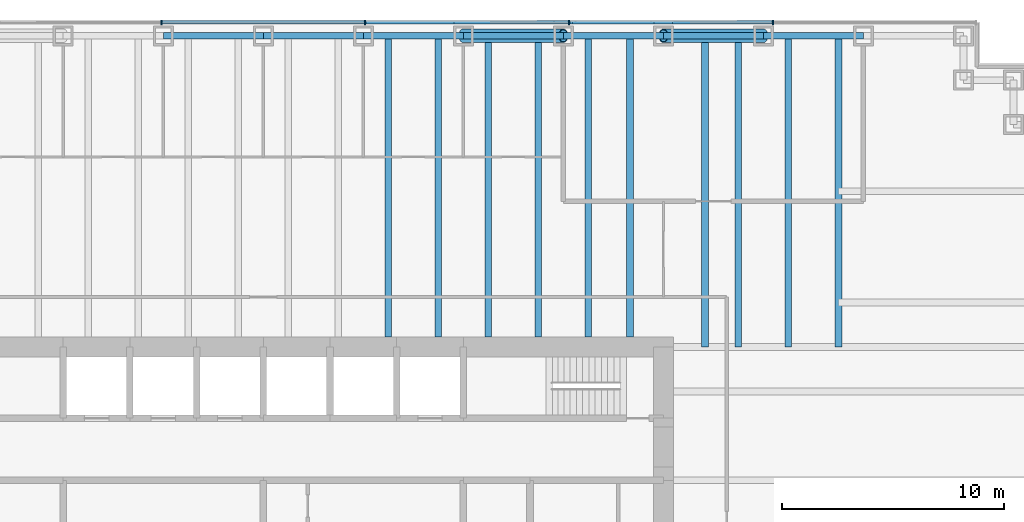
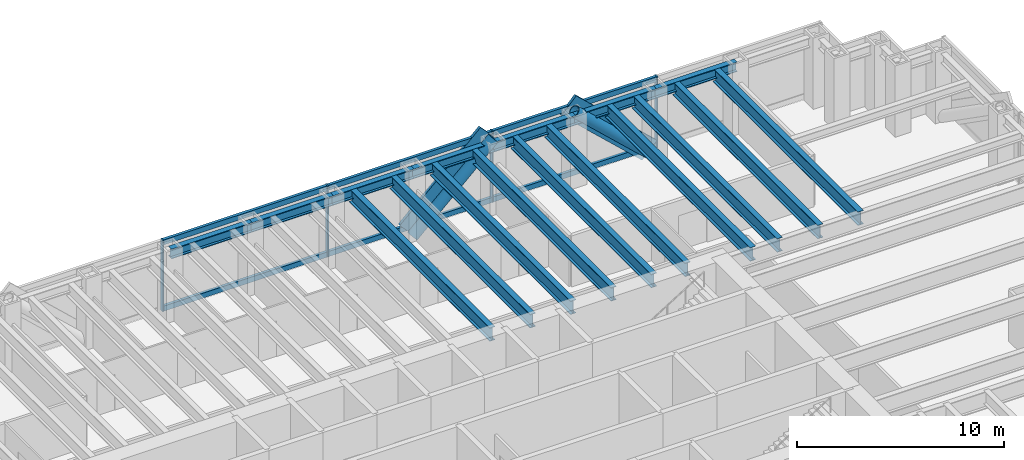
# One storey, part 7 of 15: 17 beams, 14 members, 1 element without a shape of its own.
"""IFC4 building model written with IfcOpenShell, lengths in metres."""

from ifc_helpers import new_model, si_unit, direction, frame, origin, origin_2d, place, context, subcontext, project, spatial, rectangle, hollow_circle, i_section, extrude, material, material_profile, profile_set, type_object, element, aggregate, save


model = new_model("IFC4")

# Units and contexts
model_context = context("Model", 3, precision=1e-05, world=origin(), true_north=direction((0.0, 1.0)))
body_context = subcontext(model_context, "Body", "Model", "MODEL_VIEW")
ifc_project = project(units=[si_unit("LENGTHUNIT", "METRE"), si_unit("AREAUNIT", "SQUARE_METRE"), si_unit("VOLUMEUNIT", "CUBIC_METRE"), si_unit("PLANEANGLEUNIT", "RADIAN"), si_unit("MASSUNIT", "GRAM", prefix="KILO")], contexts=[model_context])

# Site, building, storey
site_placement = place(None, origin())
site = spatial("IfcSite", under=ifc_project, at=site_placement, CompositionType="ELEMENT")
building_placement = place(site_placement, origin())
building = spatial("IfcBuilding", under=site, at=building_placement, Name="Rheinbord Bourse Tower", CompositionType="ELEMENT")
storey_placement = place(building_placement, frame((0.0, 0.0, 104.699951171875)))
storey = spatial("IfcBuildingStorey", under=building, at=storey_placement, Name="L22", CompositionType="ELEMENT", Elevation=104.699951171875)

# Curtain wall, members
ifc_material_1 = material(Name="Dark glass and black aluminium", Category="aluminium")
curtain_wall_type = type_object("IfcCurtainWallType", Name="CW2 DARK GLASS CURTAIN WALL", PredefinedType="USERDEFINED", material=ifc_material_1)
curtain_wall_placement = place(storey_placement, origin())
curtain_wall = element("IfcCurtainWall", 1, at=curtain_wall_placement, inside=storey, type_object=curtain_wall_type, Name="Curtain wall CW2 N L22", ObjectType="UNITISED CURTAIN WALL", PredefinedType="USERDEFINED")
ifc_material_2 = material(Name="Black anodised aluminium", Category="aluminium")
ifc_material_profile_1 = material_profile(ifc_material_2, rectangle(XDim=0.159912109375, YDim=1.2099609375, at=origin_2d()), Name="CW2 DIAGONAL MULLION 1210x160")
ifc_profile_set_1 = profile_set([ifc_material_profile_1], Name="Black anodised aluminium")
member_type_1 = type_object("IfcMemberType", Name="CW2 BLACK DIAGONAL MULLION", PredefinedType="USERDEFINED", material=ifc_profile_set_1)
member_1_placement = place(storey_placement, frame((45.0, 46.60009765625, 0.0), z_axis=(0.73105922506, 0.0, 0.682314010889), x_axis=(0.0, 1.0, 0.0)))
member_1 = element("IfcMember", 2, at=member_1_placement, type_object=member_type_1, Name="CW2 diagonal mullion b", ObjectType="DIAGONAL MULLION", PredefinedType="USERDEFINED", context=body_context, shape_type="SweptSolid", body=[
    extrude(rectangle(XDim=0.159912109375, YDim=1.2099609375, at=origin_2d()), origin(), (0.0, 0.0, 1.0), 6.155517578125),
])
member_2_placement = place(storey_placement, frame((58.5, 46.60009765625, 0.0), z_axis=(-0.73105922506, 0.0, 0.682314010889), x_axis=(0.0, -1.0, 0.0)))
member_2 = element("IfcMember", 3, at=member_2_placement, type_object=member_type_1, Name="CW2 diagonal mullion d", ObjectType="DIAGONAL MULLION", PredefinedType="USERDEFINED", context=body_context, shape_type="SweptSolid", body=[
    extrude(rectangle(XDim=0.159912109375, YDim=1.2099609375, at=origin_2d()), origin(), (0.0, 0.0, 1.0), 6.155517578125),
])
ifc_material_3 = material(Name="Black anodised aluminium", Category="aluminium")
ifc_material_profile_2 = material_profile(ifc_material_3, rectangle(XDim=0.219970703125, YDim=0.070068359375, at=origin_2d()), Name="CW2 MULLION 70x220")
ifc_profile_set_2 = profile_set([ifc_material_profile_2], Name="Black anodised aluminium")
member_type_2 = type_object("IfcMemberType", Name="CW2 BLACK MULLION", PredefinedType="MULLION", material=ifc_profile_set_2)
member_3_placement = place(storey_placement, frame((58.928466796875, 46.60009765625, 0.0), z_axis=(0.0, 0.0, 1.0), x_axis=(0.0, -1.0, 0.0)))
member_3 = element("IfcMember", 4, at=member_3_placement, type_object=member_type_2, Name="CW2 mullion 2", PredefinedType="MULLION", context=body_context, shape_type="SweptSolid", body=[
    extrude(rectangle(XDim=0.219970703125, YDim=0.070068359375, at=origin_2d()), origin(), (0.0, 0.0, 1.0), 4.199951171875),
])
member_4_placement = place(storey_placement, frame((49.757080078125, 46.60009765625, 0.0), z_axis=(0.0, 0.0, 1.0), x_axis=(0.0, -1.0, 0.0)))
member_4 = element("IfcMember", 5, at=member_4_placement, type_object=member_type_2, Name="CW2 mullion 3", PredefinedType="MULLION", context=body_context, shape_type="SweptSolid", body=[
    extrude(rectangle(XDim=0.219970703125, YDim=0.070068359375, at=origin_2d()), origin(), (0.0, 0.0, 1.0), 4.199951171875),
])
member_5_placement = place(storey_placement, frame((40.585693359375, 46.60009765625, 0.0), z_axis=(0.0, 0.0, 1.0), x_axis=(0.0, -1.0, 0.0)))
member_5 = element("IfcMember", 6, at=member_5_placement, type_object=member_type_2, Name="CW2 mullion 4", PredefinedType="MULLION", context=body_context, shape_type="SweptSolid", body=[
    extrude(rectangle(XDim=0.219970703125, YDim=0.070068359375, at=origin_2d()), origin(), (0.0, 0.0, 1.0), 4.199951171875),
])
member_6_placement = place(storey_placement, frame((31.414306640625, 46.60009765625, 0.0), z_axis=(0.0, 0.0, 1.0), x_axis=(0.0, -1.0, 0.0)))
member_6 = element("IfcMember", 7, at=member_6_placement, type_object=member_type_2, Name="CW2 mullion 5", PredefinedType="MULLION", context=body_context, shape_type="SweptSolid", body=[
    extrude(rectangle(XDim=0.219970703125, YDim=0.070068359375, at=origin_2d()), origin(), (0.0, 0.0, 1.0), 4.199951171875),
])
ifc_material_4 = material(Name="Black anodised aluminium", Category="aluminium")
ifc_material_profile_3 = material_profile(ifc_material_4, rectangle(XDim=0.159912109375, YDim=0.300048828125, at=origin_2d()), Name="CW2 TRANSOM 300x160")
ifc_profile_set_3 = profile_set([ifc_material_profile_3], Name="Black anodised aluminium")
member_type_3 = type_object("IfcMemberType", Name="CW2 BLACK TRANSOM", PredefinedType="USERDEFINED", material=ifc_profile_set_3)
member_7_placement = place(storey_placement, frame((58.8935546875, 46.60009765625, 0.150146484375), z_axis=(-1.0, 0.0, 0.0), x_axis=(0.0, -1.0, 0.0)))
member_7 = element("IfcMember", 8, at=member_7_placement, type_object=member_type_3, Name="CW2 transom 2.1", ObjectType="TRANSOM", PredefinedType="USERDEFINED", context=body_context, shape_type="SweptSolid", body=[
    extrude(rectangle(XDim=0.159912109375, YDim=0.300048828125, at=origin_2d()), origin(), (0.0, 0.0, 1.0), 9.101318359375),
])
member_8_placement = place(storey_placement, frame((58.8935546875, 46.60009765625, 4.050048828125), z_axis=(-1.0, 0.0, 0.0), x_axis=(0.0, -1.0, 0.0)))
member_8 = element("IfcMember", 9, at=member_8_placement, type_object=member_type_3, Name="CW2 transom 2.2", ObjectType="TRANSOM", PredefinedType="USERDEFINED", context=body_context, shape_type="SweptSolid", body=[
    extrude(rectangle(XDim=0.159912109375, YDim=0.300048828125, at=origin_2d()), origin(), (0.0, 0.0, 1.0), 9.101318359375),
])
member_9_placement = place(storey_placement, frame((49.72216796875, 46.60009765625, 0.150146484375), z_axis=(-1.0, 0.0, 0.0), x_axis=(0.0, -1.0, 0.0)))
member_9 = element("IfcMember", 10, at=member_9_placement, type_object=member_type_3, Name="CW2 transom 3.1", ObjectType="TRANSOM", PredefinedType="USERDEFINED", context=body_context, shape_type="SweptSolid", body=[
    extrude(rectangle(XDim=0.159912109375, YDim=0.300048828125, at=origin_2d()), origin(), (0.0, 0.0, 1.0), 9.1015625),
])
member_10_placement = place(storey_placement, frame((49.72216796875, 46.60009765625, 4.050048828125), z_axis=(-1.0, 0.0, 0.0), x_axis=(0.0, -1.0, 0.0)))
member_10 = element("IfcMember", 11, at=member_10_placement, type_object=member_type_3, Name="CW2 transom 3.2", ObjectType="TRANSOM", PredefinedType="USERDEFINED", context=body_context, shape_type="SweptSolid", body=[
    extrude(rectangle(XDim=0.159912109375, YDim=0.300048828125, at=origin_2d()), origin(), (0.0, 0.0, 1.0), 9.1015625),
])
member_11_placement = place(storey_placement, frame((40.55078125, 46.60009765625, 0.150146484375), z_axis=(-1.0, 0.0, 0.0), x_axis=(0.0, -1.0, 0.0)))
member_11 = element("IfcMember", 12, at=member_11_placement, type_object=member_type_3, Name="CW2 transom 4.1", ObjectType="TRANSOM", PredefinedType="USERDEFINED", context=body_context, shape_type="SweptSolid", body=[
    extrude(rectangle(XDim=0.159912109375, YDim=0.300048828125, at=origin_2d()), origin(), (0.0, 0.0, 1.0), 9.1015625),
])
member_12_placement = place(storey_placement, frame((40.55078125, 46.60009765625, 4.050048828125), z_axis=(-1.0, 0.0, 0.0), x_axis=(0.0, -1.0, 0.0)))
member_12 = element("IfcMember", 13, at=member_12_placement, type_object=member_type_3, Name="CW2 transom 4.2", ObjectType="TRANSOM", PredefinedType="USERDEFINED", context=body_context, shape_type="SweptSolid", body=[
    extrude(rectangle(XDim=0.159912109375, YDim=0.300048828125, at=origin_2d()), origin(), (0.0, 0.0, 1.0), 9.1015625),
])
aggregate(curtain_wall, [member_3, member_4, member_5, member_6, member_7, member_8, member_9, member_10, member_11, member_12, member_1, member_2])

# Beams
ifc_material_5 = material(Name="Steel S460", Category="steel")
ifc_material_profile_4 = material_profile(ifc_material_5, i_section(OverallWidth=0.300048828125, OverallDepth=0.800048828125, WebThickness=0.017578125, FlangeThickness=0.032958984375, at=origin_2d()), Name="HEB 800")
ifc_profile_set_4 = profile_set([ifc_material_profile_4], Name="Steel S460")
beam_type_1 = type_object("IfcBeamType", Name="FLOOR BEAM HEB 800", PredefinedType="BEAM", material=ifc_profile_set_4)
for number, where, z_axis, x_axis, name in (
    (14, (41.625, 46.0, 3.64013671875), (0.0, -1.0, 0.0), (1.0, 0.0, 0.0), "Floor beam N-40.5a L23"),
    (15, (43.875, 46.0, 3.64013671875), (0.0, -1.0, 0.0), (1.0, 0.0, 0.0), "Floor beam N-40.5b L23"),
    (16, (46.125, 46.0, 3.64013671875), (0.0, -1.0, 0.0), (1.0, 0.0, 0.0), "Floor beam N-45a L23"),
    (17, (48.375, 46.0, 3.64013671875), (0.0, -1.0, 0.0), (1.0, 0.0, 0.0), "Floor beam N-45b L23"),
    (18, (50.625, 46.0, 3.64013671875), (0.0, -1.0, 0.0), (1.0, 0.0, 0.0), "Floor beam N-49.5a L23"),
    (19, (52.5, 46.0, 3.64013671875), (0.0, -1.0, 0.0), (1.0, 0.0, 0.0), "Floor beam N-49.5b L23"),
):
    element("IfcBeam", number, at=place(storey_placement, frame(where, z_axis=z_axis, x_axis=x_axis)), inside=storey, type_object=beam_type_1, Name=name, PredefinedType="BEAM", context=body_context, shape_type="SweptSolid", body=[
        extrude(i_section(OverallWidth=0.300048828125, OverallDepth=0.800048828125, WebThickness=0.017578125, FlangeThickness=0.032958984375, at=origin_2d()), origin(), (0.0, 0.0, 1.0), 13.550048828125),
    ])
for number, where, z_axis, x_axis, name in (
    (20, (55.875, 46.0, 3.64013671875), (0.0, -1.0, 0.0), (1.0, 0.0, 0.0), "Floor beam N-54a L23"),
    (21, (57.375, 46.0, 3.64013671875), (0.0, -1.0, 0.0), (1.0, 0.0, 0.0), "Floor beam N-54b L23"),
    (22, (59.625, 46.0, 3.64013671875), (0.0, -1.0, 0.0), (1.0, 0.0, 0.0), "Floor beam N-58.5a L23"),
    (23, (61.875, 46.0, 3.64013671875), (0.0, -1.0, 0.0), (1.0, 0.0, 0.0), "Floor beam N-58.5b L23"),
):
    element("IfcBeam", number, at=place(storey_placement, frame(where, z_axis=z_axis, x_axis=x_axis)), inside=storey, type_object=beam_type_1, Name=name, PredefinedType="BEAM", context=body_context, shape_type="SweptSolid", body=[
        extrude(i_section(OverallWidth=0.300048828125, OverallDepth=0.800048828125, WebThickness=0.017578125, FlangeThickness=0.032958984375, at=origin_2d()), origin(), (0.0, 0.0, 1.0), 14.0),
    ])

# Members
ifc_material_6 = material(Name="Steel S460", Category="steel")
ifc_material_profile_5 = material_profile(ifc_material_6, hollow_circle(Radius=0.304931640625, WallThickness=0.0400390625, at=origin_2d()), Name="CHS 610x40")
ifc_profile_set_5 = profile_set([ifc_material_profile_5], Name="Steel S460")
member_type_4 = type_object("IfcMemberType", Name="MEGABRACE CHS 610x40", PredefinedType="BRACE", material=ifc_profile_set_5)
for number, where, z_axis, x_axis, name in (
    (24, (45.0, 46.0, 0.0), (0.73105922506, 0.0, 0.682314010889), (0.0, 1.0, 0.0), "Megabrace N face line b L22"),
    (25, (58.5, 46.0, 0.0), (-0.73105922506, 0.0, 0.682314010889), (0.0, -1.0, 0.0), "Megabrace N face line d L22"),
):
    element("IfcMember", number, at=place(storey_placement, frame(where, z_axis=z_axis, x_axis=x_axis)), inside=storey, type_object=member_type_4, Name=name, PredefinedType="BRACE", context=body_context, shape_type="SweptSolid", body=[
        extrude(hollow_circle(Radius=0.304931640625, WallThickness=0.0400390625, at=origin_2d()), origin(), (0.0, 0.0, 1.0), 6.155517578125),
    ])

# Beams
ifc_material_7 = material(Name="Steel S460", Category="steel")
ifc_material_profile_6 = material_profile(ifc_material_7, i_section(OverallWidth=0.305908203125, OverallDepth=0.572021484375, WebThickness=0.02099609375, FlangeThickness=0.0400390625, at=origin_2d()), Name="HEM 550")
ifc_profile_set_6 = profile_set([ifc_material_profile_6], Name="Steel S460")
beam_type_2 = type_object("IfcBeamType", Name="SPANDREL HEM 550", PredefinedType="SPANDREL", material=ifc_profile_set_6)
for number, where, z_axis, x_axis, name in (
    (26, (63.0, 46.0, 3.754150390625), (-1.0, 0.0, 0.0), (0.0, -1.0, 0.0), "Spandrel N-63-N-58.5 under L23"),
    (27, (58.5, 46.0, 3.754150390625), (-1.0, 0.0, 0.0), (0.0, -1.0, 0.0), "Spandrel N-58.5-N-54 under L23"),
    (28, (54.0, 46.0, 3.754150390625), (-1.0, 0.0, 0.0), (0.0, -1.0, 0.0), "Spandrel N-54-N-49.5 under L23"),
    (29, (49.5, 46.0, 3.754150390625), (-1.0, 0.0, 0.0), (0.0, -1.0, 0.0), "Spandrel N-49.5-N-45 under L23"),
    (30, (45.0, 46.0, 3.754150390625), (-1.0, 0.0, 0.0), (0.0, -1.0, 0.0), "Spandrel N-45-N-40.5 under L23"),
    (31, (40.5, 46.0, 3.754150390625), (-1.0, 0.0, 0.0), (0.0, -1.0, 0.0), "Spandrel N-40.5-N-36 under L23"),
    (32, (36.0, 46.0, 3.754150390625), (-1.0, 0.0, 0.0), (0.0, -1.0, 0.0), "Spandrel N-36-N-31.5 under L23"),
):
    element("IfcBeam", number, at=place(storey_placement, frame(where, z_axis=z_axis, x_axis=x_axis)), inside=storey, type_object=beam_type_2, Name=name, PredefinedType="SPANDREL", context=body_context, shape_type="SweptSolid", body=[
        extrude(i_section(OverallWidth=0.305908203125, OverallDepth=0.572021484375, WebThickness=0.02099609375, FlangeThickness=0.0400390625, at=origin_2d()), origin(), (0.0, 0.0, 1.0), 4.5),
    ])

save(model, "model.ifc")
